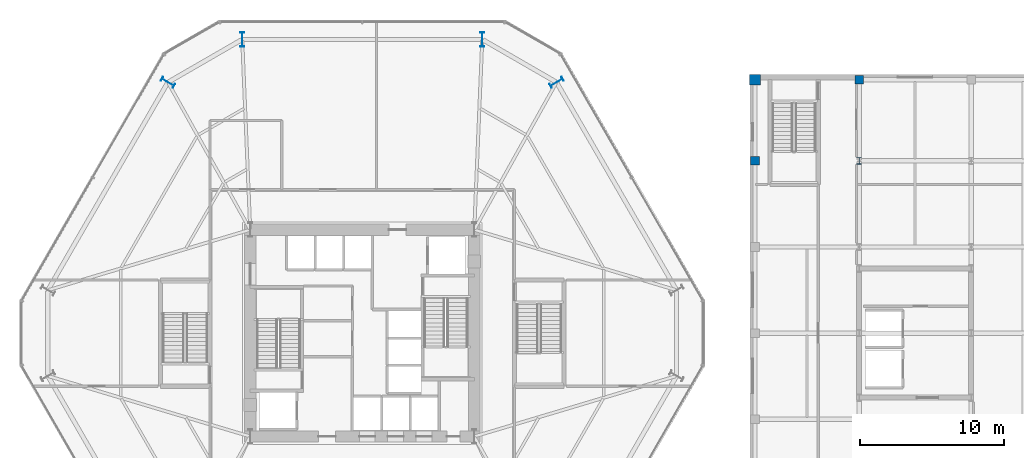
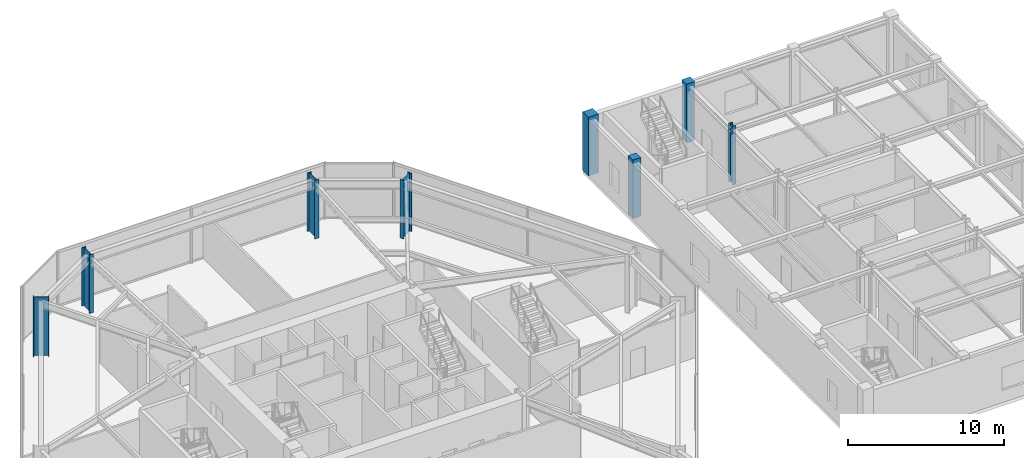
# One storey, part 3 of 22: 8 columns.
"""IFC4 building model written with IfcOpenShell, lengths in metres."""

import ifcopenshell
import ifcopenshell.guid

model = None  # the IFC model being written
_history = None  # IfcOwnerHistory: only IFC2X3 demands one
_inside = {}  # id of a spatial element -> (the spatial element, [elements in it])
_under = {}  # id of a project, library or spatial element -> (it, [spatial elements below it])
_declared = {}  # id of a project -> (the project, [libraries it declares])
_typed = {}  # id of a type object -> (the type object, [elements of that type])
_made_of = {}  # id of a material, layer set ... -> (it, [elements and type objects made of it])


def new_model(schema):
    """Start an empty IFC model of exactly this schema.

    Asked for "IFC4X3", IfcOpenShell would pick the latest addendum, in which some entities
    have other attributes; the version numbers below select the first issue.
    IFC2X3 requires an IfcOwnerHistory on every rooted entity: one is made here for all.
    """
    global model, _history
    if schema == "IFC4X3":
        model = ifcopenshell.file(schema_version=(4, 3, 0, 0))
    else:
        model = ifcopenshell.file(schema=schema)
    _inside.clear()
    _under.clear()
    _declared.clear()
    _typed.clear()
    _made_of.clear()
    _history = None
    if model.schema == "IFC2X3":
        org = make("IfcOrganization", Name="unknown")
        user = make(
            "IfcPersonAndOrganization",
            ThePerson=make("IfcPerson", FamilyName="unknown"),
            TheOrganization=org,
        )
        app = make(
            "IfcApplication",
            ApplicationDeveloper=org,
            Version="unknown",
            ApplicationFullName="unknown",
            ApplicationIdentifier="unknown",
        )
        _history = make(
            "IfcOwnerHistory",
            OwningUser=user,
            OwningApplication=app,
            ChangeAction="ADDED",
            CreationDate=0,
        )
    return model


def make(cls, **values):
    """One entity of the class cls with the attributes given. An attribute that is None is left unset."""
    return model.create_entity(
        cls, **{name: value for name, value in values.items() if value is not None}
    )


def rooted(cls, **values):
    """An entity with a GlobalId (a new one), such as an element, a storey or a relation."""
    return make(cls, GlobalId=ifcopenshell.guid.new(), OwnerHistory=_history, **values)


def si_unit(unit_type, name, prefix=None):
    """IfcSIUnit, for example si_unit("LENGTHUNIT", "METRE", prefix="MILLI")."""
    return make("IfcSIUnit", UnitType=unit_type, Prefix=prefix, Name=name)


def assignment(units):
    """IfcUnitAssignment: the units of a project."""
    return None if units is None else make("IfcUnitAssignment", Units=units)


def point(xyz):
    """IfcCartesianPoint."""
    return None if xyz is None else make("IfcCartesianPoint", Coordinates=xyz)


def direction(xyz):
    """IfcDirection."""
    return None if xyz is None else make("IfcDirection", DirectionRatios=xyz)


def frame(location, z_axis=None, x_axis=None):
    """IfcAxis2Placement3D, a coordinate frame: its origin and axes. An axis left out is left unset."""
    return make(
        "IfcAxis2Placement3D",
        Location=point(location),
        Axis=direction(z_axis),
        RefDirection=direction(x_axis),
    )


def frame_2d(location, x_axis=None):
    """IfcAxis2Placement2D, a coordinate frame in the plane: its origin and x axis."""
    return make(
        "IfcAxis2Placement2D", Location=point(location), RefDirection=direction(x_axis)
    )


def origin():
    """The frame at (0, 0, 0) with its axes left unset."""
    return frame((0.0, 0.0, 0.0))


def origin_2d():
    """The frame at (0, 0) in the plane with its x axis left unset."""
    return frame_2d((0.0, 0.0))


def place(relative_to, where):
    """IfcLocalPlacement: puts the frame where relative to a parent placement (None: the world)."""
    return make(
        "IfcLocalPlacement", PlacementRelTo=relative_to, RelativePlacement=where
    )


def context(
    kind, dimensions, precision=None, world=None, true_north=None, identifier=None
):
    """IfcGeometricRepresentationContext, for example the 3D "Model" context."""
    return make(
        "IfcGeometricRepresentationContext",
        ContextIdentifier=identifier,
        ContextType=kind,
        CoordinateSpaceDimension=dimensions,
        Precision=precision,
        WorldCoordinateSystem=world,
        TrueNorth=true_north,
    )


def subcontext(parent, identifier, kind, view, scale=None):
    """IfcGeometricRepresentationSubContext, for example "Body" below "Model"."""
    return make(
        "IfcGeometricRepresentationSubContext",
        ContextIdentifier=identifier,
        ContextType=kind,
        ParentContext=parent,
        TargetScale=scale,
        TargetView=view,
    )


def project(units=None, contexts=None):
    """IfcProject with its units and contexts."""
    return rooted(
        "IfcProject",
        Name="project",
        RepresentationContexts=contexts,
        UnitsInContext=assignment(units),
    )


def spatial(cls, under=None, at=None, **own):
    """A site, building, storey or space (cls), placed at a placement, below another one or the project."""
    s = rooted(cls, ObjectPlacement=at, **own)
    if under is not None:
        _under.setdefault(under.id(), (under, []))[1].append(s)
    return s


def profile(cls, at=None, kind="AREA", **sizes):
    """A parametric profile (cls). Its sizes go by their IFC names, for example OverallWidth=200.0."""
    return make(cls, ProfileType=kind, Position=at, **sizes)


def rectangle(**sizes):
    """IfcRectangleProfileDef."""
    return profile("IfcRectangleProfileDef", **sizes)


def i_section(**sizes):
    """IfcIShapeProfileDef."""
    return profile("IfcIShapeProfileDef", **sizes)


def extrude(swept, where, along, depth):
    """IfcExtrudedAreaSolid: the profile swept, set in the frame where, extruded along a direction by depth."""
    return make(
        "IfcExtrudedAreaSolid",
        SweptArea=swept,
        Position=where,
        ExtrudedDirection=direction(along),
        Depth=depth,
    )


def shape(context_of_items, identifier, shape_type, items):
    """IfcShapeRepresentation: the items that make up one representation, for example the "Body"."""
    return make(
        "IfcShapeRepresentation",
        ContextOfItems=context_of_items,
        RepresentationIdentifier=identifier,
        RepresentationType=shape_type,
        Items=items,
    )


def material(Name=None, Category=None):
    """IfcMaterial."""
    return make("IfcMaterial", Name=Name, Category=Category)


def material_profile(
    of_material, cross_section, Name=None, Category=None, Priority=None
):
    """IfcMaterialProfile: a cross section and its material."""
    return make(
        "IfcMaterialProfile",
        Name=Name,
        Material=of_material,
        Profile=cross_section,
        Priority=Priority,
        Category=Category,
    )


def profile_set(profiles, Name=None, composite=None):
    """IfcMaterialProfileSet."""
    return make(
        "IfcMaterialProfileSet",
        Name=Name,
        MaterialProfiles=profiles,
        CompositeProfile=composite,
    )


def made_of(thing, what):
    """Note that an element or type object is made of a material, layer set ...; save() writes the relation."""
    if what is not None:
        _made_of.setdefault(what.id(), (what, []))[1].append(thing)
    return thing


def type_object(cls, material=None, **own):
    """A type object (cls), such as IfcWallType, which elements share."""
    return made_of(rooted(cls, **own), material)


def element(
    cls,
    number,
    at=None,
    inside=None,
    cuts=None,
    type_object=None,
    material=None,
    context=None,
    identifier="Body",
    shape_type=None,
    held_by="IfcProductDefinitionShape",
    body=None,
    shapes=None,
    **own,
):
    """One element of the class cls, such as IfcWall. Its Tag is "e" and its number.

    at: its placement. inside: the storey or other place that contains it. cuts: it is an
    opening in that element (IfcRelVoidsElement). A single representation is given by context,
    identifier, shape_type and body (its items); several are given by shapes. held_by: the class
    of the entity that holds the representations. save() writes the other relations.
    """
    e = rooted(cls, Tag="e%d" % number, ObjectPlacement=at, **own)
    if body is not None:
        shapes = [shape(context, identifier, shape_type, body)]
    if shapes is not None:
        e.Representation = make(held_by, Representations=shapes)
    if inside is not None:
        _inside.setdefault(inside.id(), (inside, []))[1].append(e)
    if cuts is not None:
        rooted(
            "IfcRelVoidsElement", RelatingBuildingElement=cuts, RelatedOpeningElement=e
        )
    if type_object is not None:
        _typed.setdefault(type_object.id(), (type_object, []))[1].append(e)
    return made_of(e, material)


def aggregate(whole, parts):
    """IfcRelAggregates: a whole, such as a stair, and the parts it consists of."""
    return rooted("IfcRelAggregates", RelatingObject=whole, RelatedObjects=parts)


def save(model, path):
    """Write the relations noted so far, then the file.

    IfcRelAggregates (storeys below a building ...), IfcRelContainedInSpatialStructure (elements
    in a storey), IfcRelDefinesByType, IfcRelAssociatesMaterial and IfcRelDeclares: one each for
    every whole, place, type object, material and project.
    """
    for whole, parts in _under.values():
        aggregate(whole, parts)
    for where, things in _inside.values():
        rooted(
            "IfcRelContainedInSpatialStructure",
            RelatedElements=things,
            RelatingStructure=where,
        )
    for kind, things in _typed.values():
        rooted("IfcRelDefinesByType", RelatedObjects=things, RelatingType=kind)
    for what, things in _made_of.values():
        rooted("IfcRelAssociatesMaterial", RelatedObjects=things, RelatingMaterial=what)
    for by, libraries in _declared.values():
        rooted("IfcRelDeclares", RelatingContext=by, RelatedDefinitions=libraries)
    model.write(path)


model = new_model("IFC4")

# Units and contexts
model_context = context("Model", 3, precision=1e-05, world=origin(), true_north=direction((0.0, 1.0)))
body_context = subcontext(model_context, "Body", "Model", "MODEL_VIEW")
ifc_project = project(units=[si_unit("LENGTHUNIT", "METRE"), si_unit("AREAUNIT", "SQUARE_METRE"), si_unit("VOLUMEUNIT", "CUBIC_METRE"), si_unit("PLANEANGLEUNIT", "RADIAN"), si_unit("MASSUNIT", "GRAM", prefix="KILO")], contexts=[model_context])

# Site, building, storey
site_placement = place(None, origin())
site = spatial("IfcSite", under=ifc_project, at=site_placement, CompositionType="ELEMENT")
building_placement = place(site_placement, origin())
building = spatial("IfcBuilding", under=site, at=building_placement, Name="Kranzbogen Civic Tower", CompositionType="ELEMENT")
storey_placement = place(building_placement, frame((0.0, 0.0, 5.199951171875)))
storey = spatial("IfcBuildingStorey", under=building, at=storey_placement, Name="L01", CompositionType="ELEMENT", Elevation=5.199951171875)

# Columns
ifc_material_1 = material(Name="Steel S355", Category="steel")
ifc_material_profile_1 = material_profile(ifc_material_1, i_section(OverallWidth=0.300048828125, OverallDepth=0.449951171875, WebThickness=0.013916015625, FlangeThickness=0.02587890625, at=origin_2d()), Name="HEB 450")
ifc_profile_set_1 = profile_set([ifc_material_profile_1], Name="Steel S355")
column_type_1 = type_object("IfcColumnType", Name="Structural Column HEB 450", PredefinedType="COLUMN", material=ifc_profile_set_1)
column_1_placement = place(storey_placement, frame((59.60009765625, 37.0, 0.0), z_axis=(0.0, 0.0, 1.0), x_axis=(1.0, 0.0, 0.0)))
element("IfcColumn", 1, at=column_1_placement, inside=storey, type_object=column_type_1, Name="L01 Health Centre column 11/G", PredefinedType="COLUMN", context=body_context, shape_type="SweptSolid", body=[
    extrude(i_section(OverallWidth=0.300048828125, OverallDepth=0.449951171875, WebThickness=0.013916015625, FlangeThickness=0.02587890625, at=origin_2d()), origin(), (0.0, 0.0, 1.0), 4.60009765625),
])
ifc_material_2 = material(Name="Steel S460", Category="steel")
ifc_material_profile_2 = material_profile(ifc_material_2, i_section(OverallWidth=0.302001953125, OverallDepth=1.008056640625, WebThickness=0.02099609375, FlangeThickness=0.0400390625, at=origin_2d()), Name="HEM 1000")
ifc_profile_set_2 = profile_set([ifc_material_profile_2], Name="Steel S460")
column_type_2 = type_object("IfcColumnType", Name="Structural Column HEM 1000", PredefinedType="COLUMN", material=ifc_profile_set_2)
for number, where, z_axis, x_axis, name in (
    (2, (38.531005859375, 42.464111328125, 0.0), (0.0, 0.0, 1.0), (-0.5, 0.866025403784, 0.0), "L01 tower perimeter tube column 02"),
    (3, (33.35888671875, 45.449951171875, 0.0), (0.0, 0.0, 1.0), (1.0, 0.0, 0.0), "L01 tower perimeter tube column 03"),
    (4, (16.64111328125, 45.449951171875, 0.0), (0.0, 0.0, 1.0), (1.0, 0.0, 0.0), "L01 tower perimeter tube column 04"),
    (5, (11.468994140625, 42.464111328125, 0.0), (0.0, 0.0, 1.0), (0.5, 0.866025403784, 0.0), "L01 tower perimeter tube column 05"),
):
    element("IfcColumn", number, at=place(storey_placement, frame(where, z_axis=z_axis, x_axis=x_axis)), inside=storey, type_object=column_type_2, Name=name, PredefinedType="COLUMN", context=body_context, shape_type="SweptSolid", body=[
        extrude(i_section(OverallWidth=0.302001953125, OverallDepth=1.008056640625, WebThickness=0.02099609375, FlangeThickness=0.0400390625, at=origin_2d()), origin(), (0.0, 0.0, 1.0), 4.60009765625),
    ])
ifc_material_3 = material(Name="Concrete C40/50", Category="concrete")
ifc_material_profile_3 = material_profile(ifc_material_3, rectangle(XDim=0.60009765625, YDim=0.60009765625, at=origin_2d()), Name="RC 600x600")
ifc_profile_set_3 = profile_set([ifc_material_profile_3], Name="Concrete C40/50")
column_type_3 = type_object("IfcColumnType", Name="Structural Column RC 600x600", PredefinedType="COLUMN", material=ifc_profile_set_3)
for number, where, z_axis, x_axis, name in (
    (6, (52.35009765625, 37.0, 0.0), (0.0, 0.0, 1.0), (1.0, 0.0, 0.0), "L01 Health Centre column 10/G"),
    (7, (59.60009765625, 42.64990234375, 0.0), (0.0, 0.0, 1.0), (1.0, 0.0, 0.0), "L01 Health Centre column 11/H"),
):
    element("IfcColumn", number, at=place(storey_placement, frame(where, z_axis=z_axis, x_axis=x_axis)), inside=storey, type_object=column_type_3, Name=name, PredefinedType="COLUMN", context=body_context, shape_type="SweptSolid", body=[
        extrude(rectangle(XDim=0.60009765625, YDim=0.60009765625, at=origin_2d()), origin(), (0.0, 0.0, 1.0), 4.60009765625),
    ])
ifc_material_profile_4 = material_profile(ifc_material_3, rectangle(XDim=0.75, YDim=0.75, at=origin_2d()), Name="RC 750x750")
ifc_profile_set_4 = profile_set([ifc_material_profile_4], Name="Concrete C40/50")
column_type_4 = type_object("IfcColumnType", Name="Structural Column RC 750x750", PredefinedType="COLUMN", material=ifc_profile_set_4)
column_2_placement = place(storey_placement, frame((52.35009765625, 42.64990234375, 0.0), z_axis=(0.0, 0.0, 1.0), x_axis=(1.0, 0.0, 0.0)))
element("IfcColumn", 8, at=column_2_placement, inside=storey, type_object=column_type_4, Name="L01 Health Centre column 10/H", PredefinedType="COLUMN", context=body_context, shape_type="SweptSolid", body=[
    extrude(rectangle(XDim=0.75, YDim=0.75, at=origin_2d()), origin(), (0.0, 0.0, 1.0), 4.60009765625),
])

save(model, "model.ifc")
